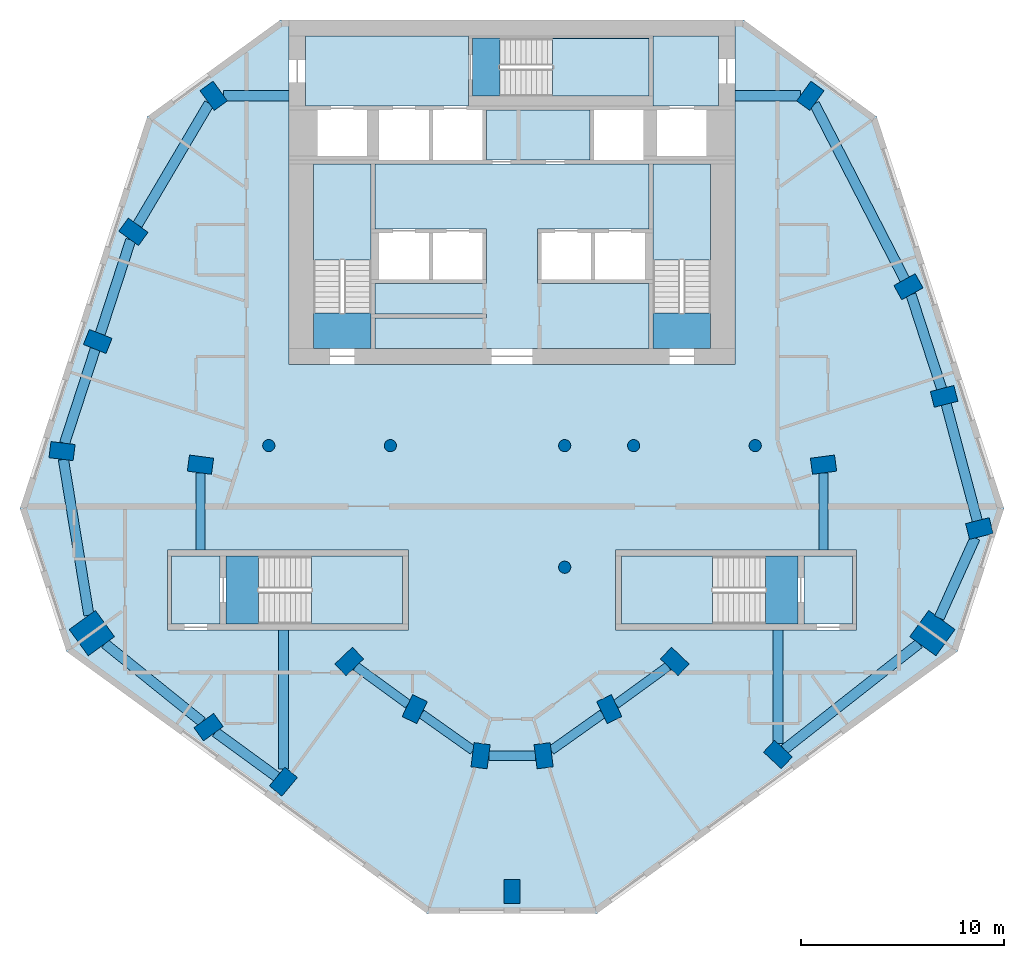
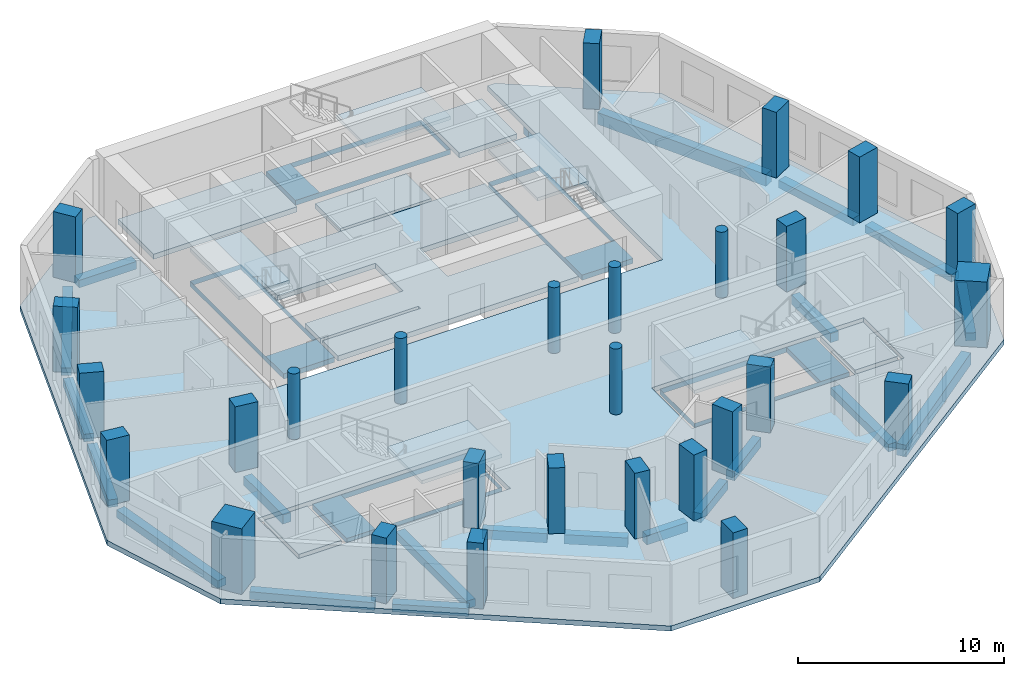
# One storey, part 1 of 9: 28 columns, 22 beams, 17 slabs, 5 elements without a shape of their own.
"""IFC4 building model written with IfcOpenShell, lengths in metres."""

import ifcopenshell
import ifcopenshell.guid

model = None  # the IFC model being written
_history = None  # IfcOwnerHistory: only IFC2X3 demands one
_inside = {}  # id of a spatial element -> (the spatial element, [elements in it])
_under = {}  # id of a project, library or spatial element -> (it, [spatial elements below it])
_declared = {}  # id of a project -> (the project, [libraries it declares])
_typed = {}  # id of a type object -> (the type object, [elements of that type])
_made_of = {}  # id of a material, layer set ... -> (it, [elements and type objects made of it])


def new_model(schema):
    """Start an empty IFC model of exactly this schema.

    Asked for "IFC4X3", IfcOpenShell would pick the latest addendum, in which some entities
    have other attributes; the version numbers below select the first issue.
    IFC2X3 requires an IfcOwnerHistory on every rooted entity: one is made here for all.
    """
    global model, _history
    if schema == "IFC4X3":
        model = ifcopenshell.file(schema_version=(4, 3, 0, 0))
    else:
        model = ifcopenshell.file(schema=schema)
    _inside.clear()
    _under.clear()
    _declared.clear()
    _typed.clear()
    _made_of.clear()
    _history = None
    if model.schema == "IFC2X3":
        org = make("IfcOrganization", Name="unknown")
        user = make(
            "IfcPersonAndOrganization",
            ThePerson=make("IfcPerson", FamilyName="unknown"),
            TheOrganization=org,
        )
        app = make(
            "IfcApplication",
            ApplicationDeveloper=org,
            Version="unknown",
            ApplicationFullName="unknown",
            ApplicationIdentifier="unknown",
        )
        _history = make(
            "IfcOwnerHistory",
            OwningUser=user,
            OwningApplication=app,
            ChangeAction="ADDED",
            CreationDate=0,
        )
    return model


def make(cls, **values):
    """One entity of the class cls with the attributes given. An attribute that is None is left unset."""
    return model.create_entity(
        cls, **{name: value for name, value in values.items() if value is not None}
    )


def rooted(cls, **values):
    """An entity with a GlobalId (a new one), such as an element, a storey or a relation."""
    return make(cls, GlobalId=ifcopenshell.guid.new(), OwnerHistory=_history, **values)


def si_unit(unit_type, name, prefix=None):
    """IfcSIUnit, for example si_unit("LENGTHUNIT", "METRE", prefix="MILLI")."""
    return make("IfcSIUnit", UnitType=unit_type, Prefix=prefix, Name=name)


def assignment(units):
    """IfcUnitAssignment: the units of a project."""
    return None if units is None else make("IfcUnitAssignment", Units=units)


def point(xyz):
    """IfcCartesianPoint."""
    return None if xyz is None else make("IfcCartesianPoint", Coordinates=xyz)


def direction(xyz):
    """IfcDirection."""
    return None if xyz is None else make("IfcDirection", DirectionRatios=xyz)


def frame(location, z_axis=None, x_axis=None):
    """IfcAxis2Placement3D, a coordinate frame: its origin and axes. An axis left out is left unset."""
    return make(
        "IfcAxis2Placement3D",
        Location=point(location),
        Axis=direction(z_axis),
        RefDirection=direction(x_axis),
    )


def frame_2d(location, x_axis=None):
    """IfcAxis2Placement2D, a coordinate frame in the plane: its origin and x axis."""
    return make(
        "IfcAxis2Placement2D", Location=point(location), RefDirection=direction(x_axis)
    )


def origin():
    """The frame at (0, 0, 0) with its axes left unset."""
    return frame((0.0, 0.0, 0.0))


def origin_2d():
    """The frame at (0, 0) in the plane with its x axis left unset."""
    return frame_2d((0.0, 0.0))


def place(relative_to, where):
    """IfcLocalPlacement: puts the frame where relative to a parent placement (None: the world)."""
    return make(
        "IfcLocalPlacement", PlacementRelTo=relative_to, RelativePlacement=where
    )


def context(
    kind, dimensions, precision=None, world=None, true_north=None, identifier=None
):
    """IfcGeometricRepresentationContext, for example the 3D "Model" context."""
    return make(
        "IfcGeometricRepresentationContext",
        ContextIdentifier=identifier,
        ContextType=kind,
        CoordinateSpaceDimension=dimensions,
        Precision=precision,
        WorldCoordinateSystem=world,
        TrueNorth=true_north,
    )


def subcontext(parent, identifier, kind, view, scale=None):
    """IfcGeometricRepresentationSubContext, for example "Body" below "Model"."""
    return make(
        "IfcGeometricRepresentationSubContext",
        ContextIdentifier=identifier,
        ContextType=kind,
        ParentContext=parent,
        TargetScale=scale,
        TargetView=view,
    )


def project(units=None, contexts=None):
    """IfcProject with its units and contexts."""
    return rooted(
        "IfcProject",
        Name="project",
        RepresentationContexts=contexts,
        UnitsInContext=assignment(units),
    )


def spatial(cls, under=None, at=None, **own):
    """A site, building, storey or space (cls), placed at a placement, below another one or the project."""
    s = rooted(cls, ObjectPlacement=at, **own)
    if under is not None:
        _under.setdefault(under.id(), (under, []))[1].append(s)
    return s


def polyline(points):
    """IfcPolyline through the points."""
    return make("IfcPolyline", Points=[point(p) for p in points])


def profile(cls, at=None, kind="AREA", **sizes):
    """A parametric profile (cls). Its sizes go by their IFC names, for example OverallWidth=200.0."""
    return make(cls, ProfileType=kind, Position=at, **sizes)


def rectangle(**sizes):
    """IfcRectangleProfileDef."""
    return profile("IfcRectangleProfileDef", **sizes)


def circle(**sizes):
    """IfcCircleProfileDef."""
    return profile("IfcCircleProfileDef", **sizes)


def outline(outer, holes=None, kind="AREA"):
    """IfcArbitraryClosedProfileDef: a profile drawn as a closed curve; with holes, ...WithVoids."""
    if holes is None:
        return make("IfcArbitraryClosedProfileDef", ProfileType=kind, OuterCurve=outer)
    return make(
        "IfcArbitraryProfileDefWithVoids",
        ProfileType=kind,
        OuterCurve=outer,
        InnerCurves=holes,
    )


def extrude(swept, where, along, depth):
    """IfcExtrudedAreaSolid: the profile swept, set in the frame where, extruded along a direction by depth."""
    return make(
        "IfcExtrudedAreaSolid",
        SweptArea=swept,
        Position=where,
        ExtrudedDirection=direction(along),
        Depth=depth,
    )


def shape(context_of_items, identifier, shape_type, items):
    """IfcShapeRepresentation: the items that make up one representation, for example the "Body"."""
    return make(
        "IfcShapeRepresentation",
        ContextOfItems=context_of_items,
        RepresentationIdentifier=identifier,
        RepresentationType=shape_type,
        Items=items,
    )


def material(Name=None, Category=None):
    """IfcMaterial."""
    return make("IfcMaterial", Name=Name, Category=Category)


def layer(
    of_material, thickness, ventilated=None, Name=None, Category=None, Priority=None
):
    """IfcMaterialLayer: one layer of a wall or slab, of a material (None: an air gap)."""
    return make(
        "IfcMaterialLayer",
        Material=of_material,
        LayerThickness=thickness,
        IsVentilated=ventilated,
        Name=Name,
        Category=Category,
        Priority=Priority,
    )


def layer_set(layers, Name=None):
    """IfcMaterialLayerSet."""
    return make("IfcMaterialLayerSet", MaterialLayers=layers, LayerSetName=Name)


def material_profile(
    of_material, cross_section, Name=None, Category=None, Priority=None
):
    """IfcMaterialProfile: a cross section and its material."""
    return make(
        "IfcMaterialProfile",
        Name=Name,
        Material=of_material,
        Profile=cross_section,
        Priority=Priority,
        Category=Category,
    )


def profile_set(profiles, Name=None, composite=None):
    """IfcMaterialProfileSet."""
    return make(
        "IfcMaterialProfileSet",
        Name=Name,
        MaterialProfiles=profiles,
        CompositeProfile=composite,
    )


def made_of(thing, what):
    """Note that an element or type object is made of a material, layer set ...; save() writes the relation."""
    if what is not None:
        _made_of.setdefault(what.id(), (what, []))[1].append(thing)
    return thing


def type_object(cls, material=None, **own):
    """A type object (cls), such as IfcWallType, which elements share."""
    return made_of(rooted(cls, **own), material)


def element(
    cls,
    number,
    at=None,
    inside=None,
    cuts=None,
    type_object=None,
    material=None,
    context=None,
    identifier="Body",
    shape_type=None,
    held_by="IfcProductDefinitionShape",
    body=None,
    shapes=None,
    **own,
):
    """One element of the class cls, such as IfcWall. Its Tag is "e" and its number.

    at: its placement. inside: the storey or other place that contains it. cuts: it is an
    opening in that element (IfcRelVoidsElement). A single representation is given by context,
    identifier, shape_type and body (its items); several are given by shapes. held_by: the class
    of the entity that holds the representations. save() writes the other relations.
    """
    e = rooted(cls, Tag="e%d" % number, ObjectPlacement=at, **own)
    if body is not None:
        shapes = [shape(context, identifier, shape_type, body)]
    if shapes is not None:
        e.Representation = make(held_by, Representations=shapes)
    if inside is not None:
        _inside.setdefault(inside.id(), (inside, []))[1].append(e)
    if cuts is not None:
        rooted(
            "IfcRelVoidsElement", RelatingBuildingElement=cuts, RelatedOpeningElement=e
        )
    if type_object is not None:
        _typed.setdefault(type_object.id(), (type_object, []))[1].append(e)
    return made_of(e, material)


def aggregate(whole, parts):
    """IfcRelAggregates: a whole, such as a stair, and the parts it consists of."""
    return rooted("IfcRelAggregates", RelatingObject=whole, RelatedObjects=parts)


def save(model, path):
    """Write the relations noted so far, then the file.

    IfcRelAggregates (storeys below a building ...), IfcRelContainedInSpatialStructure (elements
    in a storey), IfcRelDefinesByType, IfcRelAssociatesMaterial and IfcRelDeclares: one each for
    every whole, place, type object, material and project.
    """
    for whole, parts in _under.values():
        aggregate(whole, parts)
    for where, things in _inside.values():
        rooted(
            "IfcRelContainedInSpatialStructure",
            RelatedElements=things,
            RelatingStructure=where,
        )
    for kind, things in _typed.values():
        rooted("IfcRelDefinesByType", RelatedObjects=things, RelatingType=kind)
    for what, things in _made_of.values():
        rooted("IfcRelAssociatesMaterial", RelatedObjects=things, RelatingMaterial=what)
    for by, libraries in _declared.values():
        rooted("IfcRelDeclares", RelatingContext=by, RelatedDefinitions=libraries)
    model.write(path)


model = new_model("IFC4")

# Units and contexts
model_context = context("Model", 3, precision=1e-05, world=origin(), true_north=direction((0.0, 1.0)))
body_context = subcontext(model_context, "Body", "Model", "MODEL_VIEW")
ifc_project = project(units=[si_unit("LENGTHUNIT", "METRE"), si_unit("AREAUNIT", "SQUARE_METRE"), si_unit("VOLUMEUNIT", "CUBIC_METRE"), si_unit("PLANEANGLEUNIT", "RADIAN"), si_unit("MASSUNIT", "GRAM", prefix="KILO")], contexts=[model_context])

# Site, building, storey
site_placement = place(None, origin())
site = spatial("IfcSite", under=ifc_project, at=site_placement, CompositionType="ELEMENT")
building_placement = place(site_placement, origin())
building = spatial("IfcBuilding", under=site, at=building_placement, Name="White Candle Pilgrim Tower", CompositionType="ELEMENT")
storey_placement = place(building_placement, frame((0.0, 0.0, 235.5)))
storey = spatial("IfcBuildingStorey", under=building, at=storey_placement, Name="L55", CompositionType="ELEMENT", Elevation=235.5)

# Columns
ifc_material_1 = material(Name="Concrete C70/85", Category="concrete")
ifc_material_profile_1 = material_profile(ifc_material_1, circle(Radius=0.300048828125, at=origin_2d()), Name="RC-COL D600")
ifc_profile_set_1 = profile_set([ifc_material_profile_1], Name="Concrete C70/85")
column_type_1 = type_object("IfcColumnType", Name="Interior column RC-COL D600 C70/85", PredefinedType="COLUMN", material=ifc_profile_set_1)
for number, where, z_axis, x_axis, name in (
    (1, (58.0, 67.0, 0.0), (0.0, 0.0, 1.0), (1.0, 0.0, 0.0), "L55 column I01"),
    (2, (64.0, 67.0, 0.0), (0.0, 0.0, 1.0), (1.0, 0.0, 0.0), "L55 column I02"),
    (3, (72.60009765625, 61.0, 0.0), (0.0, 0.0, 1.0), (1.0, 0.0, 0.0), "L55 column I03"),
    (4, (72.60009765625, 67.0, 0.0), (0.0, 0.0, 1.0), (1.0, 0.0, 0.0), "L55 column I04"),
    (5, (76.0, 67.0, 0.0), (0.0, 0.0, 1.0), (1.0, 0.0, 0.0), "L55 column I05"),
    (6, (82.0, 67.0, 0.0), (0.0, 0.0, 1.0), (1.0, 0.0, 0.0), "L55 column I06"),
):
    element("IfcColumn", number, at=place(storey_placement, frame(where, z_axis=z_axis, x_axis=x_axis)), inside=storey, type_object=column_type_1, Name=name, PredefinedType="COLUMN", context=body_context, shape_type="SweptSolid", body=[
        extrude(circle(Radius=0.300048828125, at=origin_2d()), origin(), (0.0, 0.0, 1.0), 3.89990234375),
    ])
ifc_material_profile_2 = material_profile(ifc_material_1, rectangle(XDim=1.60009765625, YDim=1.60009765625, at=origin_2d()), Name="RC 1600x1600")
ifc_profile_set_2 = profile_set([ifc_material_profile_2], Name="Concrete C70/85")
column_type_2 = type_object("IfcColumnType", Name="Mega column RC 1600x1600 C70/85", PredefinedType="COLUMN", material=ifc_profile_set_2)
for number, where, z_axis, x_axis, name in (
    (7, (49.27001953125, 57.75, 0.0), (0.0, 0.0, 1.0), (-0.809016994375, -0.587785252292, 0.0), "L55 mega column T01"),
    (8, (90.739990234375, 57.75, 0.0), (0.0, 0.0, 1.0), (0.809016994375, -0.587785252292, 0.0), "L55 mega column T06"),
):
    element("IfcColumn", number, at=place(storey_placement, frame(where, z_axis=z_axis, x_axis=x_axis)), inside=storey, type_object=column_type_2, Name=name, PredefinedType="COLUMN", context=body_context, shape_type="SweptSolid", body=[
        extrude(rectangle(XDim=1.60009765625, YDim=1.60009765625, at=origin_2d()), origin(), (0.0, 0.0, 1.0), 3.89990234375),
    ])
ifc_material_profile_3 = material_profile(ifc_material_1, rectangle(XDim=0.800048828125, YDim=1.199951171875, at=origin_2d()), Name="RC-PR 800x1200")
ifc_profile_set_3 = profile_set([ifc_material_profile_3], Name="Concrete C70/85")
column_type_3 = type_object("IfcColumnType", Name="Perimeter column RC-PR 800x1200 C70/85", PredefinedType="COLUMN", material=ifc_profile_set_3)
for number, where, z_axis, x_axis, name in (
    (9, (55.030029296875, 53.110107421875, 0.0), (0.0, 0.0, 1.0), (-0.58846280644, 0.808524288711, 0.0), "L55 column T02"),
    (10, (58.719970703125, 50.419921875, 0.0), (0.0, 0.0, 1.0), (-0.769310358735, 0.638875239733, 0.0), "L55 column T03"),
    (11, (70.0, 45.0, 0.0), (0.0, 0.0, 1.0), (-1.0, 0.0, 0.0), "L55 column T04"),
    (12, (83.1201171875, 51.760009765625, 0.0), (0.0, 0.0, 1.0), (-0.681998360062, -0.731353701619, 0.0), "L55 column T05"),
    (13, (93.06005859375, 62.909912109375, 0.0), (0.0, 0.0, 1.0), (0.246880623275, -0.969045900797, 0.0), "L55 column T07"),
    (14, (91.320068359375, 69.429931640625, 0.0), (0.0, 0.0, 1.0), (0.246880623275, -0.969045900797, 0.0), "L55 column T08"),
    (15, (89.56005859375, 74.840087890625, 0.0), (0.0, 0.0, 1.0), (0.484809620246, -0.874619707139, 0.0), "L55 column T09"),
    (16, (84.719970703125, 84.260009765625, 0.0), (0.0, 0.0, 1.0), (0.80902725304, -0.587771132193, 0.0), "L55 column T10"),
    (17, (55.280029296875, 84.260009765625, 0.0), (0.0, 0.0, 1.0), (0.80902725304, 0.587771132193, 0.0), "L55 column T11"),
    (18, (51.320068359375, 77.550048828125, 0.0), (0.0, 0.0, 1.0), (0.587107285614, 0.809509132239, 0.0), "L55 column T12"),
    (19, (49.56005859375, 72.139892578125, 0.0), (0.0, 0.0, 1.0), (0.369860269472, 0.929087391512, 0.0), "L55 column T13"),
    (20, (47.800048828125, 66.72998046875, 0.0), (0.0, 0.0, 1.0), (0.121869343405, 0.992546151641, 0.0), "L55 column T14"),
):
    element("IfcColumn", number, at=place(storey_placement, frame(where, z_axis=z_axis, x_axis=x_axis)), inside=storey, type_object=column_type_3, Name=name, PredefinedType="COLUMN", context=body_context, shape_type="SweptSolid", body=[
        extrude(rectangle(XDim=0.800048828125, YDim=1.199951171875, at=origin_2d()), origin(), (0.0, 0.0, 1.0), 3.89990234375),
    ])
ifc_material_profile_4 = material_profile(ifc_material_1, rectangle(XDim=0.800048828125, YDim=1.199951171875, at=origin_2d()), Name="RC-PR 800x1200")
ifc_profile_set_4 = profile_set([ifc_material_profile_4], Name="Concrete C70/85")
column_type_4 = type_object("IfcColumnType", Name="Ring column RC-PR 800x1200 C70/85", PredefinedType="COLUMN", material=ifc_profile_set_4)
for number, where, z_axis, x_axis, name in (
    (21, (61.969970703125, 56.35009765625, 0.0), (0.0, 0.0, 1.0), (-0.689872285383, 0.723931094691, 0.0), "L55 column R01"),
    (22, (65.199951171875, 54.0, 0.0), (0.0, 0.0, 1.0), (-0.901689191761, 0.43238478403, 0.0), "L55 column R02"),
    (23, (68.449951171875, 51.699951171875, 0.0), (0.0, 0.0, 1.0), (-0.992092811428, 0.125506388335, 0.0), "L55 column R03"),
    (24, (71.56005859375, 51.699951171875, 0.0), (0.0, 0.0, 1.0), (-0.992092811428, -0.125506388335, 0.0), "L55 column R04"),
    (25, (74.800048828125, 54.0, 0.0), (0.0, 0.0, 1.0), (-0.901689191761, -0.43238478403, 0.0), "L55 column R05"),
    (26, (78.030029296875, 56.35009765625, 0.0), (0.0, 0.0, 1.0), (-0.689872285383, -0.723931094691, 0.0), "L55 column R06"),
    (27, (85.3701171875, 66.06005859375, 0.0), (0.0, 0.0, 1.0), (0.132602381688, -0.991169313675, 0.0), "L55 column R07"),
    (28, (54.6298828125, 66.06005859375, 0.0), (0.0, 0.0, 1.0), (0.132602381688, 0.991169313675, 0.0), "L55 column R08"),
):
    element("IfcColumn", number, at=place(storey_placement, frame(where, z_axis=z_axis, x_axis=x_axis)), inside=storey, type_object=column_type_4, Name=name, PredefinedType="COLUMN", context=body_context, shape_type="SweptSolid", body=[
        extrude(rectangle(XDim=0.800048828125, YDim=1.199951171875, at=origin_2d()), origin(), (0.0, 0.0, 1.0), 3.89990234375),
    ])

# Beams
ifc_material_2 = material(Name="Concrete C50/60", Category="concrete")
ifc_material_profile_5 = material_profile(ifc_material_2, rectangle(XDim=0.449951171875, YDim=0.550048828125, at=origin_2d()), Name="RC-BM 450x550")
ifc_profile_set_5 = profile_set([ifc_material_profile_5], Name="Concrete C50/60")
beam_type_1 = type_object("IfcBeamType", Name="Ring beam RC-BM 450x550 C50/60", PredefinedType="BEAM", material=ifc_profile_set_5)
beam_1_placement = place(storey_placement, frame((62.298828125, 56.11083984375, -0.574951171875), z_axis=(0.808609951168, -0.588345091653, 0.0), x_axis=(0.588345091653, 0.808609951168, 0.0)))
element("IfcBeam", 29, at=beam_1_placement, inside=storey, type_object=beam_type_1, Name="L55 ring beam R01", PredefinedType="BEAM", context=body_context, shape_type="SweptSolid", body=[
    extrude(rectangle(XDim=0.449951171875, YDim=0.550048828125, at=origin_2d()), origin(), (0.0, 0.0, 1.0), 3.18115234375),
])
beam_2_placement = place(storey_placement, frame((65.53125, 53.765625, -0.574951171875), z_axis=(0.816256463166, -0.577689697277, 0.0), x_axis=(0.577689697277, 0.816256463166, 0.0)))
element("IfcBeam", 30, at=beam_2_placement, inside=storey, type_object=beam_type_1, Name="L55 ring beam R02", PredefinedType="BEAM", context=body_context, shape_type="SweptSolid", body=[
    extrude(rectangle(XDim=0.449951171875, YDim=0.550048828125, at=origin_2d()), origin(), (0.0, 0.0, 1.0), 3.122314453125),
])
beam_3_placement = place(storey_placement, frame((68.853271484375, 51.699951171875, -0.574951171875), z_axis=(1.0, 0.0, 0.0), x_axis=(0.0, 1.0, 0.0)))
element("IfcBeam", 31, at=beam_3_placement, inside=storey, type_object=beam_type_1, Name="L55 ring beam R03", PredefinedType="BEAM", context=body_context, shape_type="SweptSolid", body=[
    extrude(rectangle(XDim=0.449951171875, YDim=0.550048828125, at=origin_2d()), origin(), (0.0, 0.0, 1.0), 2.303466796875),
])
beam_4_placement = place(storey_placement, frame((71.929931640625, 51.962646484375, -0.574951171875), z_axis=(0.815419993855, 0.578869789868, 0.0), x_axis=(-0.578869789868, 0.815419993855, 0.0)))
element("IfcBeam", 32, at=beam_4_placement, inside=storey, type_object=beam_type_1, Name="L55 ring beam R04", PredefinedType="BEAM", context=body_context, shape_type="SweptSolid", body=[
    extrude(rectangle(XDim=0.449951171875, YDim=0.550048828125, at=origin_2d()), origin(), (0.0, 0.0, 1.0), 3.11376953125),
])
beam_5_placement = place(storey_placement, frame((75.12890625, 54.2392578125, -0.574951171875), z_axis=(0.808609951168, 0.588345091653, 0.0), x_axis=(-0.588345091653, 0.808609951168, 0.0)))
element("IfcBeam", 33, at=beam_5_placement, inside=storey, type_object=beam_type_1, Name="L55 ring beam R05", PredefinedType="BEAM", context=body_context, shape_type="SweptSolid", body=[
    extrude(rectangle(XDim=0.449951171875, YDim=0.550048828125, at=origin_2d()), origin(), (0.0, 0.0, 1.0), 3.18115234375),
])
for number, where, z_axis, x_axis, name in (
    (34, (85.3701171875, 65.656494140625, -0.574951171875), (0.0, -1.0, 0.0), (1.0, 0.0, 0.0), "L55 ring beam R06"),
    (35, (54.6298828125, 65.656494140625, -0.574951171875), (0.0, -1.0, 0.0), (1.0, 0.0, 0.0), "L55 ring beam R07"),
):
    element("IfcBeam", number, at=place(storey_placement, frame(where, z_axis=z_axis, x_axis=x_axis)), inside=storey, type_object=beam_type_1, Name=name, PredefinedType="BEAM", context=body_context, shape_type="SweptSolid", body=[
        extrude(rectangle(XDim=0.449951171875, YDim=0.550048828125, at=origin_2d()), origin(), (0.0, 0.0, 1.0), 3.806396484375),
    ])
ifc_material_profile_6 = material_profile(ifc_material_2, rectangle(XDim=0.5, YDim=0.449951171875, at=origin_2d()), Name="RC-BM 500x450")
ifc_profile_set_6 = profile_set([ifc_material_profile_6], Name="Concrete C50/60")
beam_type_2 = type_object("IfcBeamType", Name="Spandrel beam RC-BM 500x450 C50/60", PredefinedType="BEAM", material=ifc_profile_set_6)
beam_6_placement = place(storey_placement, frame((49.915283203125, 57.22998046875, -0.52490234375), z_axis=(0.778778136726, -0.62729946099, 0.0), x_axis=(0.62729946099, 0.778778136726, 0.0)))
element("IfcBeam", 36, at=beam_6_placement, inside=storey, type_object=beam_type_2, Name="L55 spandrel beam T01", PredefinedType="BEAM", context=body_context, shape_type="SweptSolid", body=[
    extrude(rectangle(XDim=0.5, YDim=0.449951171875, at=origin_2d()), origin(), (0.0, 0.0, 1.0), 6.153564453125),
])
beam_7_placement = place(storey_placement, frame((55.36962890625, 52.8623046875, -0.52490234375), z_axis=(0.808061834145, -0.58909767628, 0.0), x_axis=(0.58909767628, 0.808061834145, 0.0)))
element("IfcBeam", 37, at=beam_7_placement, inside=storey, type_object=beam_type_2, Name="L55 spandrel beam T02", PredefinedType="BEAM", context=body_context, shape_type="SweptSolid", body=[
    extrude(rectangle(XDim=0.5, YDim=0.449951171875, at=origin_2d()), origin(), (0.0, 0.0, 1.0), 3.7451171875),
])
beam_8_placement = place(storey_placement, frame((58.719970703125, 51.046142578125, -0.52490234375), z_axis=(0.0, 1.0, 0.0), x_axis=(-1.0, 0.0, 0.0)))
element("IfcBeam", 38, at=beam_8_placement, inside=storey, type_object=beam_type_2, Name="L55 spandrel beam T03", PredefinedType="BEAM", context=body_context, shape_type="SweptSolid", body=[
    extrude(rectangle(XDim=0.5, YDim=0.449951171875, at=origin_2d()), origin(), (0.0, 0.0, 1.0), 6.853759765625),
])
beam_9_placement = place(storey_placement, frame((83.1201171875, 52.306884765625, -0.52490234375), z_axis=(0.0, 1.0, 0.0), x_axis=(-1.0, 0.0, 0.0)))
element("IfcBeam", 39, at=beam_9_placement, inside=storey, type_object=beam_type_2, Name="L55 spandrel beam T04", PredefinedType="BEAM", context=body_context, shape_type="SweptSolid", body=[
    extrude(rectangle(XDim=0.5, YDim=0.449951171875, at=origin_2d()), origin(), (0.0, 0.0, 1.0), 5.593017578125),
])
beam_10_placement = place(storey_placement, frame((91.0751953125, 58.495361328125, -0.52490234375), z_axis=(0.410043403319, 0.912066010437, 0.0), x_axis=(-0.912066010437, 0.410043403319, 0.0)))
element("IfcBeam", 40, at=beam_10_placement, inside=storey, type_object=beam_type_2, Name="L55 spandrel beam T06", PredefinedType="BEAM", context=body_context, shape_type="SweptSolid", body=[
    extrude(rectangle(XDim=0.5, YDim=0.449951171875, at=origin_2d()), origin(), (0.0, 0.0, 1.0), 4.3291015625),
])
beam_11_placement = place(storey_placement, frame((92.956787109375, 63.29638671875, -0.52490234375), z_axis=(-0.257841470678, 0.966187236512, 0.0), x_axis=(-0.966187236512, -0.257841470678, 0.0)))
element("IfcBeam", 41, at=beam_11_placement, inside=storey, type_object=beam_type_2, Name="L55 spandrel beam T07", PredefinedType="BEAM", context=body_context, shape_type="SweptSolid", body=[
    extrude(rectangle(XDim=0.5, YDim=0.449951171875, at=origin_2d()), origin(), (0.0, 0.0, 1.0), 5.9482421875),
])
beam_12_placement = place(storey_placement, frame((91.196044921875, 69.811279296875, -0.52490234375), z_axis=(-0.309391453236, 0.950934765725, 0.0), x_axis=(-0.950934765725, -0.309391453236, 0.0)))
element("IfcBeam", 42, at=beam_12_placement, inside=storey, type_object=beam_type_2, Name="L55 spandrel beam T08", PredefinedType="BEAM", context=body_context, shape_type="SweptSolid", body=[
    extrude(rectangle(XDim=0.5, YDim=0.449951171875, at=origin_2d()), origin(), (0.0, 0.0, 1.0), 4.880615234375),
])
for number, where, z_axis, x_axis, name in (
    (43, (84.2255859375, 84.260009765625, -0.52490234375), (-1.0, 0.0, 0.0), (0.0, -1.0, 0.0), "L55 spandrel beam T10"),
    (44, (55.7744140625, 84.260009765625, -0.52490234375), (1.0, 0.0, 0.0), (0.0, 1.0, 0.0), "L55 spandrel beam T11"),
):
    element("IfcBeam", number, at=place(storey_placement, frame(where, z_axis=z_axis, x_axis=x_axis)), inside=storey, type_object=beam_type_2, Name=name, PredefinedType="BEAM", context=body_context, shape_type="SweptSolid", body=[
        extrude(rectangle(XDim=0.5, YDim=0.449951171875, at=origin_2d()), origin(), (0.0, 0.0, 1.0), 3.2255859375),
    ])
beam_13_placement = place(storey_placement, frame((55.058349609375, 83.884521484375, -0.52490234375), z_axis=(-0.508250169427, -0.861209478163, 0.0), x_axis=(0.861209478163, -0.508250169427, 0.0)))
element("IfcBeam", 45, at=beam_13_placement, inside=storey, type_object=beam_type_2, Name="L55 spandrel beam T12", PredefinedType="BEAM", context=body_context, shape_type="SweptSolid", body=[
    extrude(rectangle(XDim=0.5, YDim=0.449951171875, at=origin_2d()), origin(), (0.0, 0.0, 1.0), 6.95361328125),
])
beam_14_placement = place(storey_placement, frame((51.18994140625, 77.150146484375, -0.52490234375), z_axis=(-0.30935824251, -0.950945570362, 0.0), x_axis=(0.950945570362, -0.30935824251, 0.0)))
element("IfcBeam", 46, at=beam_14_placement, inside=storey, type_object=beam_type_2, Name="L55 spandrel beam T13", PredefinedType="BEAM", context=body_context, shape_type="SweptSolid", body=[
    extrude(rectangle(XDim=0.5, YDim=0.449951171875, at=origin_2d()), origin(), (0.0, 0.0, 1.0), 4.86767578125),
])
beam_15_placement = place(storey_placement, frame((49.43603515625, 71.7587890625, -0.52490234375), z_axis=(-0.309376736615, -0.950939553726, 0.0), x_axis=(0.950939553726, -0.309376736615, 0.0)))
element("IfcBeam", 47, at=beam_15_placement, inside=storey, type_object=beam_type_2, Name="L55 spandrel beam T14", PredefinedType="BEAM", context=body_context, shape_type="SweptSolid", body=[
    extrude(rectangle(XDim=0.5, YDim=0.449951171875, at=origin_2d()), origin(), (0.0, 0.0, 1.0), 4.880859375),
])
beam_16_placement = place(storey_placement, frame((47.8671875, 66.318603515625, -0.52490234375), z_axis=(0.161556298314, -0.986863497387, 0.0), x_axis=(0.986863497387, 0.161556298314, 0.0)))
element("IfcBeam", 48, at=beam_16_placement, inside=storey, type_object=beam_type_2, Name="L55 spandrel beam T15", PredefinedType="BEAM", context=body_context, shape_type="SweptSolid", body=[
    extrude(rectangle(XDim=0.5, YDim=0.449951171875, at=origin_2d()), origin(), (0.0, 0.0, 1.0), 7.787109375),
])
ifc_material_profile_7 = material_profile(ifc_material_2, rectangle(XDim=0.5, YDim=0.699951171875, at=origin_2d()), Name="RC-BM 500x700")
ifc_profile_set_7 = profile_set([ifc_material_profile_7], Name="Concrete C50/60")
beam_type_3 = type_object("IfcBeamType", Name="Spandrel beam RC-BM 500x700 C50/60", PredefinedType="BEAM", material=ifc_profile_set_7)
beam_17_placement = place(storey_placement, frame((83.438232421875, 52.01025390625, -0.64990234375), z_axis=(0.786178058268, 0.618000049109, 0.0), x_axis=(-0.618000049109, 0.786178058268, 0.0)))
element("IfcBeam", 49, at=beam_17_placement, inside=storey, type_object=beam_type_3, Name="L55 spandrel beam T05", PredefinedType="BEAM", context=body_context, shape_type="SweptSolid", body=[
    extrude(rectangle(XDim=0.5, YDim=0.699951171875, at=origin_2d()), origin(), (0.0, 0.0, 1.0), 8.4560546875),
])
beam_18_placement = place(storey_placement, frame((89.377197265625, 75.196044921875, -0.64990234375), z_axis=(-0.457020130081, 0.889456351206, 0.0), x_axis=(-0.889456351206, -0.457020130081, 0.0)))
element("IfcBeam", 50, at=beam_18_placement, inside=storey, type_object=beam_type_3, Name="L55 spandrel beam T09", PredefinedType="BEAM", context=body_context, shape_type="SweptSolid", body=[
    extrude(rectangle(XDim=0.5, YDim=0.699951171875, at=origin_2d()), origin(), (0.0, 0.0, 1.0), 9.7421875),
])

# Slabs
ifc_material_3 = material(Name="Concrete C40/50", Category="concrete")
ifc_layer_1 = layer(ifc_material_3, 0.300048828125)
ifc_layer_set_1 = layer_set([ifc_layer_1], Name="Core floor slab 300 mm Concrete C40/50")
slab_type_1 = type_object("IfcSlabType", Name="Core floor slab 300 mm Concrete C40/50", PredefinedType="FLOOR", material=ifc_layer_set_1)
slab_1_placement = place(storey_placement, frame((0.0, 0.0, -0.300048828125)))
element("IfcSlab", 51, at=slab_1_placement, inside=storey, type_object=slab_type_1, Name="CF-L55-01", PredefinedType="FLOOR", context=body_context, shape_type="SweptSolid", body=[
    extrude(outline(polyline([(55.60009765625, 58.199951171875), (53.199951171875, 58.199951171875), (53.199951171875, 61.550048828125), (55.60009765625, 61.550048828125), (55.60009765625, 58.199951171875)])), origin(), (0.0, 0.0, 1.0), 0.300048828125),
])
slab_2_placement = place(storey_placement, frame((0.0, 0.0, -0.300048828125)))
element("IfcSlab", 52, at=slab_2_placement, inside=storey, type_object=slab_type_1, Name="CF-L55-02", PredefinedType="FLOOR", context=body_context, shape_type="SweptSolid", body=[
    extrude(outline(polyline([(55.89990234375, 58.199951171875), (55.89990234375, 61.550048828125), (64.60009765625, 61.550048828125), (64.60009765625, 58.199951171875), (55.89990234375, 58.199951171875)]), holes=[polyline([(57.501953125, 61.548095703125), (57.501953125, 58.201904296875), (64.597900390625, 58.201904296875), (64.597900390625, 61.548095703125), (57.501953125, 61.548095703125)])]), origin(), (0.0, 0.0, 1.0), 0.300048828125),
])
slab_3_placement = place(storey_placement, frame((0.0, 0.0, -0.300048828125)))
element("IfcSlab", 53, at=slab_3_placement, inside=storey, type_object=slab_type_1, Name="CF-L55-03", PredefinedType="FLOOR", context=body_context, shape_type="SweptSolid", body=[
    extrude(outline(polyline([(75.39990234375, 58.199951171875), (75.39990234375, 61.550048828125), (84.10009765625, 61.550048828125), (84.10009765625, 58.199951171875), (75.39990234375, 58.199951171875)]), holes=[polyline([(82.498046875, 58.201904296875), (82.498046875, 61.548095703125), (75.402099609375, 61.548095703125), (75.402099609375, 58.201904296875), (82.498046875, 58.201904296875)])]), origin(), (0.0, 0.0, 1.0), 0.300048828125),
])
slab_4_placement = place(storey_placement, frame((0.0, 0.0, -0.300048828125)))
element("IfcSlab", 54, at=slab_4_placement, inside=storey, type_object=slab_type_1, Name="CF-L55-04", PredefinedType="FLOOR", context=body_context, shape_type="SweptSolid", body=[
    extrude(outline(polyline([(86.800048828125, 58.199951171875), (84.39990234375, 58.199951171875), (84.39990234375, 61.550048828125), (86.800048828125, 61.550048828125), (86.800048828125, 58.199951171875)])), origin(), (0.0, 0.0, 1.0), 0.300048828125),
])
slab_5_placement = place(storey_placement, frame((0.0, 0.0, -0.300048828125)))
element("IfcSlab", 55, at=slab_5_placement, inside=storey, type_object=slab_type_1, Name="CF-L55-05", PredefinedType="FLOOR", context=body_context, shape_type="SweptSolid", body=[
    extrude(outline(polyline([(76.949951171875, 71.800048828125), (76.949951171875, 75.0), (76.949951171875, 75.199951171875), (76.949951171875, 77.5), (76.949951171875, 77.699951171875), (76.949951171875, 80.89990234375), (79.800048828125, 80.89990234375), (79.800048828125, 71.800048828125), (76.949951171875, 71.800048828125)]), holes=[polyline([(76.951904296875, 73.552001953125), (79.798095703125, 73.552001953125), (79.798095703125, 80.89794921875), (76.951904296875, 80.89794921875), (76.951904296875, 73.552001953125)])]), origin(), (0.0, 0.0, 1.0), 0.300048828125),
])
slab_6_placement = place(storey_placement, frame((0.0, 0.0, -0.300048828125)))
element("IfcSlab", 56, at=slab_6_placement, inside=storey, type_object=slab_type_1, Name="CF-L55-06", PredefinedType="FLOOR", context=body_context, shape_type="SweptSolid", body=[
    extrude(outline(polyline([(63.25, 71.800048828125), (63.25, 73.300048828125), (68.75, 73.300048828125), (68.75, 73.5), (63.25, 73.5), (63.25, 75.0), (68.75, 75.0), (68.75, 75.199951171875), (68.75, 77.5), (68.75, 77.699951171875), (63.25, 77.699951171875), (63.25, 80.89990234375), (76.75, 80.89990234375), (76.75, 77.699951171875), (71.25, 77.699951171875), (71.25, 77.5), (71.25, 75.199951171875), (71.25, 75.0), (76.75, 75.0), (76.75, 71.800048828125), (63.25, 71.800048828125)])), origin(), (0.0, 0.0, 1.0), 0.300048828125),
])
slab_7_placement = place(storey_placement, frame((0.0, 0.0, -0.300048828125)))
element("IfcSlab", 57, at=slab_7_placement, inside=storey, type_object=slab_type_1, Name="CF-L55-07", PredefinedType="FLOOR", context=body_context, shape_type="SweptSolid", body=[
    extrude(outline(polyline([(60.199951171875, 71.800048828125), (60.199951171875, 80.89990234375), (63.050048828125, 80.89990234375), (63.050048828125, 77.699951171875), (63.050048828125, 77.5), (63.050048828125, 75.199951171875), (63.050048828125, 75.0), (63.050048828125, 73.5), (63.050048828125, 73.300048828125), (63.050048828125, 71.800048828125), (60.199951171875, 71.800048828125)]), holes=[polyline([(60.201904296875, 73.552001953125), (63.048095703125, 73.552001953125), (63.048095703125, 80.89794921875), (60.201904296875, 80.89794921875), (60.201904296875, 73.552001953125)])]), origin(), (0.0, 0.0, 1.0), 0.300048828125),
])
slab_8_placement = place(storey_placement, frame((0.0, 0.0, -0.300048828125)))
element("IfcSlab", 58, at=slab_8_placement, inside=storey, type_object=slab_type_1, Name="CF-L55-08", PredefinedType="FLOOR", context=body_context, shape_type="SweptSolid", body=[
    extrude(outline(polyline([(59.800048828125, 87.199951171875), (67.85009765625, 87.199951171875), (67.85009765625, 87.10009765625), (67.85009765625, 84.25), (67.85009765625, 83.75), (59.800048828125, 83.75), (59.800048828125, 87.199951171875)])), origin(), (0.0, 0.0, 1.0), 0.300048828125),
])
slab_9_placement = place(storey_placement, frame((0.0, 0.0, -0.300048828125)))
element("IfcSlab", 59, at=slab_9_placement, inside=storey, type_object=slab_type_1, Name="CF-L55-09", PredefinedType="FLOOR", context=body_context, shape_type="SweptSolid", body=[
    extrude(outline(polyline([(80.199951171875, 87.199951171875), (80.199951171875, 83.75), (76.949951171875, 83.75), (76.949951171875, 84.25), (76.949951171875, 87.10009765625), (76.949951171875, 87.199951171875), (80.199951171875, 87.199951171875)])), origin(), (0.0, 0.0, 1.0), 0.300048828125),
])
slab_10_placement = place(storey_placement, frame((0.0, 0.0, -0.300048828125)))
element("IfcSlab", 60, at=slab_10_placement, inside=storey, type_object=slab_type_1, Name="CF-L55-10", PredefinedType="FLOOR", context=body_context, shape_type="SweptSolid", body=[
    extrude(outline(polyline([(68.050048828125, 87.10009765625), (76.75, 87.10009765625), (76.75, 84.25), (68.050048828125, 84.25), (68.050048828125, 87.10009765625)]), holes=[polyline([(69.402099609375, 87.097900390625), (69.402099609375, 84.251953125), (76.748046875, 84.251953125), (76.748046875, 87.097900390625), (69.402099609375, 87.097900390625)])]), origin(), (0.0, 0.0, 1.0), 0.300048828125),
])
slab_11_placement = place(storey_placement, frame((0.0, 0.0, -0.300048828125)))
element("IfcSlab", 61, at=slab_11_placement, inside=storey, type_object=slab_type_1, Name="CF-L55-11", PredefinedType="FLOOR", context=body_context, shape_type="SweptSolid", body=[
    extrude(outline(polyline([(73.85009765625, 83.550048828125), (73.85009765625, 81.10009765625), (68.75, 81.10009765625), (68.75, 83.550048828125), (73.85009765625, 83.550048828125)])), origin(), (0.0, 0.0, 1.0), 0.300048828125),
])
ifc_layer_2 = layer(ifc_material_3, 0.300048828125)
ifc_layer_set_2 = layer_set([ifc_layer_2], Name="Floor slab 300 REI 120")
slab_type_2 = type_object("IfcSlabType", Name="Floor slab 300 REI 120", PredefinedType="FLOOR", material=ifc_layer_set_2)
slab_12_placement = place(storey_placement, frame((0.0, 0.0, -0.300048828125)))
element("IfcSlab", 62, at=slab_12_placement, inside=storey, type_object=slab_type_2, Name="L55 floor slab", PredefinedType="FLOOR", context=body_context, shape_type="SweptSolid", body=[
    extrude(outline(polyline([(65.82421875, 43.904296875), (74.17578125, 43.904296875), (91.980712890625, 56.84033203125), (94.274658203125, 63.900390625), (87.991455078125, 83.23779296875), (81.43701171875, 88.0), (81.0, 88.0), (81.0, 71.0), (59.0, 71.0), (59.0, 88.0), (58.56298828125, 88.0), (52.008544921875, 83.23779296875), (45.725341796875, 63.900390625), (48.019287109375, 56.84033203125), (65.82421875, 43.904296875)]), holes=[polyline([(53.0, 57.89990234375), (53.0, 61.85009765625), (64.89990234375, 61.85009765625), (64.89990234375, 57.89990234375), (53.0, 57.89990234375)]), polyline([(75.10009765625, 57.89990234375), (75.10009765625, 61.85009765625), (87.0, 61.85009765625), (87.0, 57.89990234375), (75.10009765625, 57.89990234375)])]), origin(), (0.0, 0.0, 1.0), 0.300048828125),
])

# Stair, slab
stair_type_1 = type_object("IfcStairType", Name="Exit stair 1 flight width 1350 mm", PredefinedType="HALF_TURN_STAIR", material=ifc_material_3)
stair_1_placement = place(storey_placement, origin())
stair_1 = element("IfcStair", 63, at=stair_1_placement, inside=storey, type_object=stair_type_1, Name="L55 stair 1", PredefinedType="NOTDEFINED")
ifc_layer_3 = layer(ifc_material_3, 0.199951171875)
ifc_layer_set_3 = layer_set([ifc_layer_3], Name="Stair landing Concrete C40/50")
slab_type_3 = type_object("IfcSlabType", Name="Stair landing Concrete C40/50", PredefinedType="LANDING", material=ifc_layer_set_3)
slab_13_placement = place(storey_placement, frame((0.0, 0.0, 1.75)))
slab_13 = element("IfcSlab", 64, at=slab_13_placement, type_object=slab_type_3, Name="ST1 landing 1", PredefinedType="LANDING", context=body_context, shape_type="SweptSolid", body=[
    extrude(outline(polyline([(63.052001953125, 76.14794921875), (60.197998046875, 76.14794921875), (60.197998046875, 80.902099609375), (63.052001953125, 80.902099609375), (63.052001953125, 76.14794921875)])), origin(), (0.0, 0.0, 1.0), 0.199951171875),
])
aggregate(stair_1, [slab_13])

stair_type_2 = type_object("IfcStairType", Name="Exit stair 2 flight width 1350 mm", PredefinedType="HALF_TURN_STAIR", material=ifc_material_3)
stair_2_placement = place(storey_placement, origin())
stair_2 = element("IfcStair", 65, at=stair_2_placement, inside=storey, type_object=stair_type_2, Name="L55 stair 2", PredefinedType="NOTDEFINED")
slab_14_placement = place(storey_placement, frame((0.0, 0.0, 1.75)))
slab_14 = element("IfcSlab", 66, at=slab_14_placement, type_object=slab_type_3, Name="ST2 landing 1", PredefinedType="LANDING", context=body_context, shape_type="SweptSolid", body=[
    extrude(outline(polyline([(79.802001953125, 76.14794921875), (76.947998046875, 76.14794921875), (76.947998046875, 80.902099609375), (79.802001953125, 80.902099609375), (79.802001953125, 76.14794921875)])), origin(), (0.0, 0.0, 1.0), 0.199951171875),
])
aggregate(stair_2, [slab_14])

stair_type_3 = type_object("IfcStairType", Name="Exit stair 3 flight width 1350 mm", PredefinedType="HALF_TURN_STAIR", material=ifc_material_3)
stair_3_placement = place(storey_placement, origin())
stair_3 = element("IfcStair", 67, at=stair_3_placement, inside=storey, type_object=stair_type_3, Name="L55 stair 3", PredefinedType="NOTDEFINED")
slab_15_placement = place(storey_placement, frame((0.0, 0.0, 1.75)))
slab_15 = element("IfcSlab", 68, at=slab_15_placement, type_object=slab_type_3, Name="ST3 landing 1", PredefinedType="LANDING", context=body_context, shape_type="SweptSolid", body=[
    extrude(outline(polyline([(71.998046875, 84.248046875), (71.998046875, 87.10205078125), (76.751953125, 87.10205078125), (76.751953125, 84.248046875), (71.998046875, 84.248046875)])), origin(), (0.0, 0.0, 1.0), 0.199951171875),
])
aggregate(stair_3, [slab_15])

stair_type_4 = type_object("IfcStairType", Name="Exit stair 4 flight width 1600 mm", PredefinedType="HALF_TURN_STAIR", material=ifc_material_3)
stair_4_placement = place(storey_placement, origin())
stair_4 = element("IfcStair", 69, at=stair_4_placement, inside=storey, type_object=stair_type_4, Name="L55 stair 4", PredefinedType="NOTDEFINED")
slab_16_placement = place(storey_placement, frame((0.0, 0.0, 1.75)))
slab_16 = element("IfcSlab", 70, at=slab_16_placement, type_object=slab_type_3, Name="ST4 landing 1", PredefinedType="LANDING", context=body_context, shape_type="SweptSolid", body=[
    extrude(outline(polyline([(79.902099609375, 61.552001953125), (79.902099609375, 58.197998046875), (75.39794921875, 58.197998046875), (75.39794921875, 61.552001953125), (79.902099609375, 61.552001953125)])), origin(), (0.0, 0.0, 1.0), 0.199951171875),
])
aggregate(stair_4, [slab_16])

stair_type_5 = type_object("IfcStairType", Name="Exit stair 5 flight width 1600 mm", PredefinedType="HALF_TURN_STAIR", material=ifc_material_3)
stair_5_placement = place(storey_placement, origin())
stair_5 = element("IfcStair", 71, at=stair_5_placement, inside=storey, type_object=stair_type_5, Name="L55 stair 5", PredefinedType="NOTDEFINED")
slab_17_placement = place(storey_placement, frame((0.0, 0.0, 1.75)))
slab_17 = element("IfcSlab", 72, at=slab_17_placement, type_object=slab_type_3, Name="ST5 landing 1", PredefinedType="LANDING", context=body_context, shape_type="SweptSolid", body=[
    extrude(outline(polyline([(60.097900390625, 58.197998046875), (60.097900390625, 61.552001953125), (64.60205078125, 61.552001953125), (64.60205078125, 58.197998046875), (60.097900390625, 58.197998046875)])), origin(), (0.0, 0.0, 1.0), 0.199951171875),
])
aggregate(stair_5, [slab_17])

save(model, "model.ifc")
